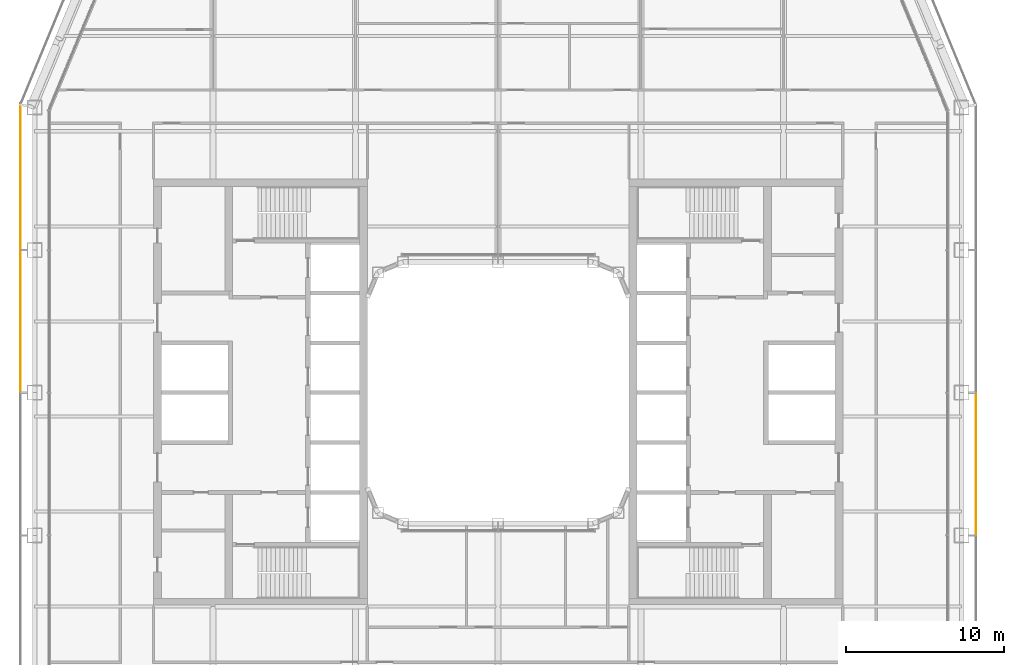
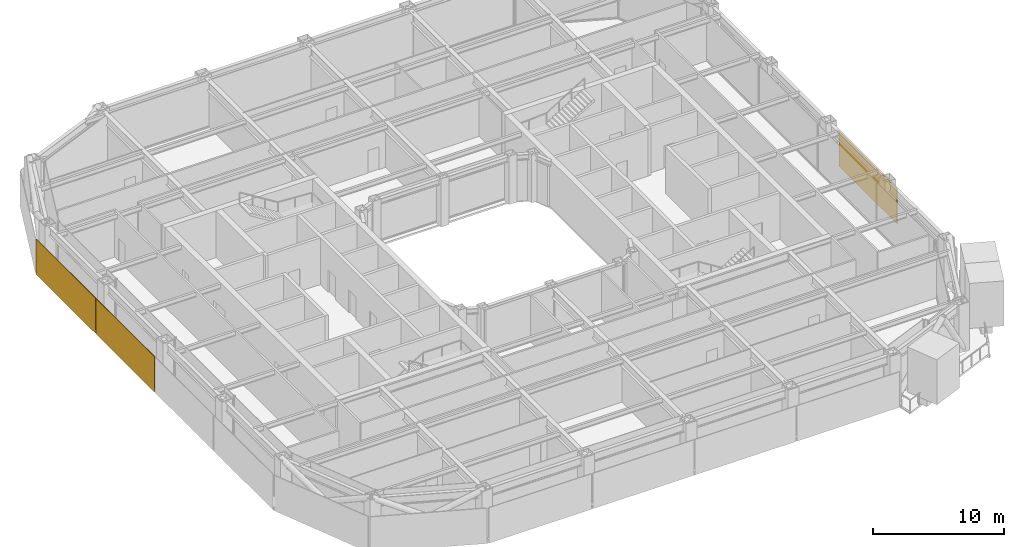
# One storey, part 20 of 23: 3 coverings.
"""IFC4 building model written with IfcOpenShell, lengths in metres."""

from ifc_helpers import new_model, si_unit, direction, frame, origin, origin_2d, place, context, subcontext, project, spatial, rectangle, extrude, material, layer, layer_set, type_object, element, save


model = new_model("IFC4")

# Units and contexts
model_context = context("Model", 3, precision=1e-05, world=origin(), true_north=direction((0.0, 1.0)))
body_context = subcontext(model_context, "Body", "Model", "MODEL_VIEW")
ifc_project = project(units=[si_unit("LENGTHUNIT", "METRE"), si_unit("AREAUNIT", "SQUARE_METRE"), si_unit("VOLUMEUNIT", "CUBIC_METRE"), si_unit("PLANEANGLEUNIT", "RADIAN"), si_unit("MASSUNIT", "GRAM", prefix="KILO")], contexts=[model_context])

# Site, building, storey
site_placement = place(None, origin())
site = spatial("IfcSite", under=ifc_project, at=site_placement, CompositionType="ELEMENT")
building_placement = place(site_placement, origin())
building = spatial("IfcBuilding", under=site, at=building_placement, Name="Siwar Civic Tower", CompositionType="ELEMENT")
storey_placement = place(building_placement, frame((0.0, 0.0, 109.199951171875)))
storey = spatial("IfcBuildingStorey", under=building, at=storey_placement, Name="L23", CompositionType="ELEMENT", Elevation=109.199951171875)

# Coverings
ifc_material_1 = material(Name="Perforated aluminium cassette, pale metal", Category="aluminium")
ifc_layer_1 = layer(ifc_material_1, 0.0400390625)
ifc_layer_set_1 = layer_set([ifc_layer_1], Name="Perforated aluminium cassette, pale metal")
covering_type_1 = type_object("IfcCoveringType", Name="ENV-OUTER SKIN OS-1", PredefinedType="CLADDING", material=ifc_layer_set_1)
covering_1_placement = place(storey_placement, frame((30.14990234375, -4.5, -0.14990234375), z_axis=(0.0, 0.0, 1.0), x_axis=(0.0, 1.0, 0.0)))
element("IfcCovering", 1, at=covering_1_placement, inside=storey, type_object=covering_type_1, Name="OUTER SKIN OS-1 E 2", PredefinedType="CLADDING", context=body_context, shape_type="SweptSolid", body=[
    extrude(rectangle(XDim=8.89990234375, YDim=0.0400390625, at=origin_2d()), origin(), (0.0, 0.0, 1.0), 3.300048828125),
])
ifc_material_2 = material(Name="Perforated aluminium cassette, pale metal", Category="aluminium")
ifc_layer_2 = layer(ifc_material_2, 0.050048828125)
ifc_layer_set_2 = layer_set([ifc_layer_2], Name="Perforated aluminium cassette, pale metal")
covering_type_2 = type_object("IfcCoveringType", Name="ENV-OUTER SKIN OS-3", PredefinedType="CLADDING", material=ifc_layer_set_2)
covering_2_placement = place(storey_placement, frame((-30.14990234375, 13.57958984375, -0.14990234375), z_axis=(0.0, 0.0, 1.0), x_axis=(0.0, -1.0, 0.0)))
element("IfcCovering", 2, at=covering_2_placement, inside=storey, type_object=covering_type_2, Name="OUTER SKIN OS-3 W 1", PredefinedType="CLADDING", context=body_context, shape_type="SweptSolid", body=[
    extrude(rectangle(XDim=9.05908203125, YDim=0.050048828125, at=origin_2d()), origin(), (0.0, 0.0, 1.0), 3.300048828125),
])
covering_3_placement = place(storey_placement, frame((-30.14990234375, 4.5, -0.14990234375), z_axis=(0.0, 0.0, 1.0), x_axis=(0.0, -1.0, 0.0)))
element("IfcCovering", 3, at=covering_3_placement, inside=storey, type_object=covering_type_2, Name="OUTER SKIN OS-3 W 2", PredefinedType="CLADDING", context=body_context, shape_type="SweptSolid", body=[
    extrude(rectangle(XDim=8.89990234375, YDim=0.050048828125, at=origin_2d()), origin(), (0.0, 0.0, 1.0), 3.300048828125),
])

save(model, "model.ifc")
